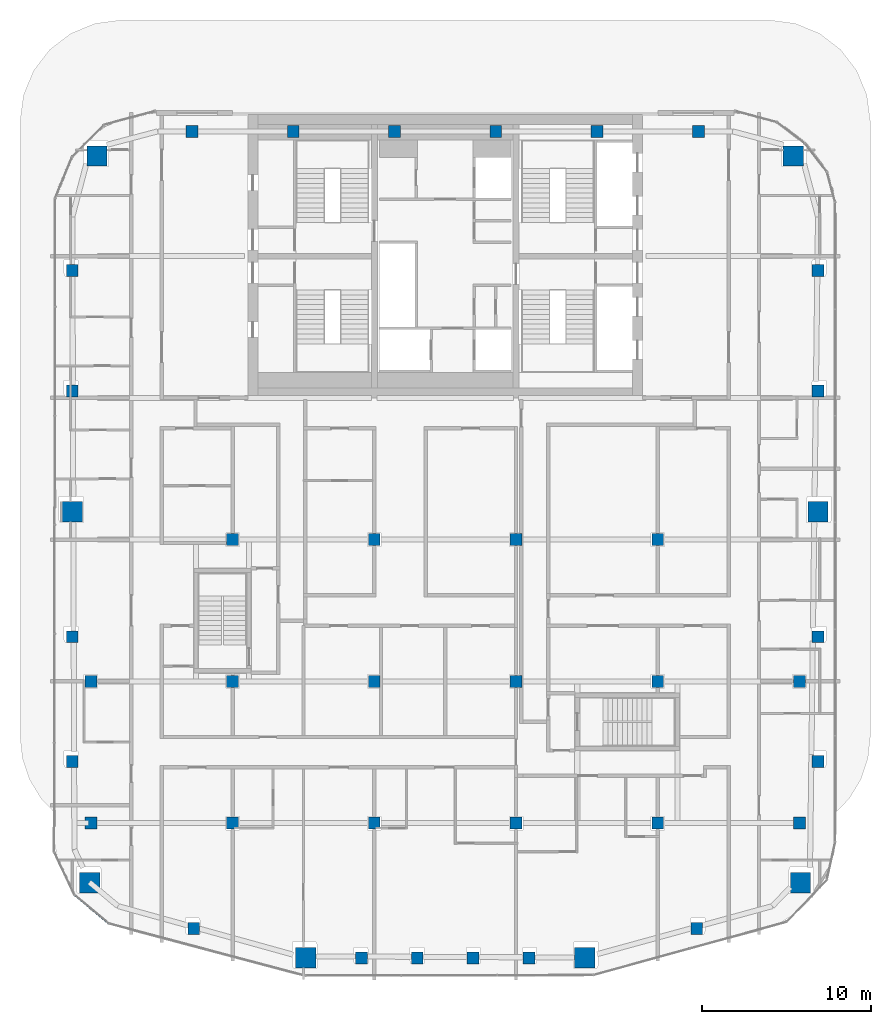
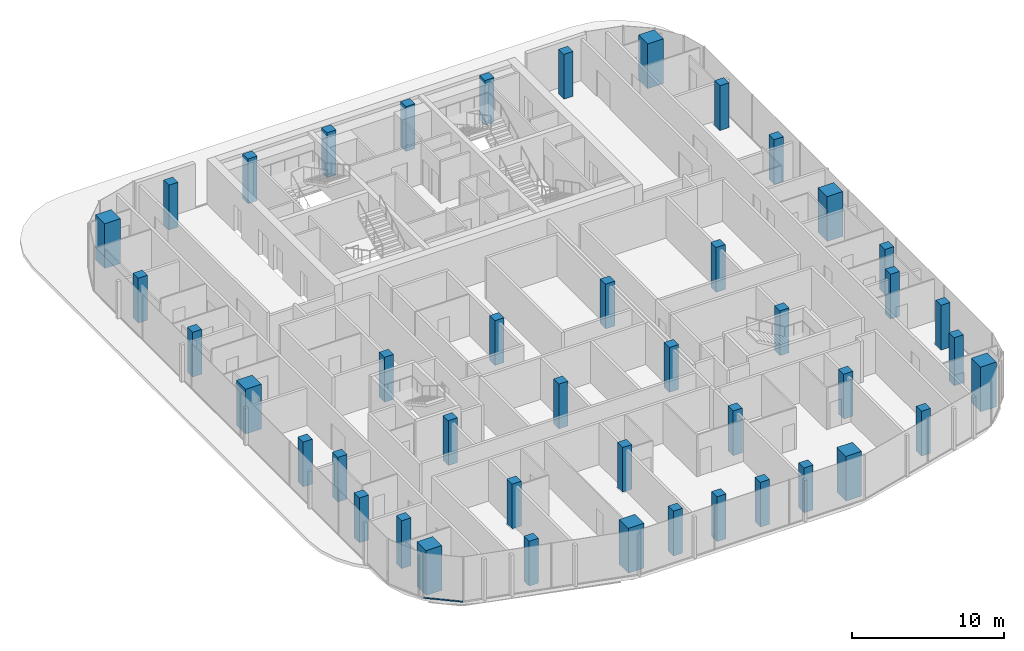
# One storey, part 1 of 21: 44 columns, 1 member, 1 element without a shape of its own.
"""IFC4 building model written with IfcOpenShell, lengths in metres."""

from ifc_helpers import new_model, si_unit, direction, frame, origin, origin_2d, place, context, subcontext, project, spatial, rectangle, extrude, material, layer, layer_set, material_profile, profile_set, type_object, element, aggregate, save


model = new_model("IFC4")

# Units and contexts
model_context = context("Model", 3, precision=1e-05, world=origin(), true_north=direction((0.0, 1.0)))
body_context = subcontext(model_context, "Body", "Model", "MODEL_VIEW")
ifc_project = project(units=[si_unit("LENGTHUNIT", "METRE"), si_unit("AREAUNIT", "SQUARE_METRE"), si_unit("VOLUMEUNIT", "CUBIC_METRE"), si_unit("PLANEANGLEUNIT", "RADIAN"), si_unit("MASSUNIT", "GRAM", prefix="KILO")], contexts=[model_context])

# Site, building, storey
site_placement = place(None, origin())
site = spatial("IfcSite", under=ifc_project, at=site_placement, CompositionType="ELEMENT")
building_placement = place(site_placement, origin())
building = spatial("IfcBuilding", under=site, at=building_placement, Name="Marenta Gate Hotel Tower", CompositionType="ELEMENT")
storey_placement = place(building_placement, frame((0.0, 0.0, 266.89990234375)))
storey = spatial("IfcBuildingStorey", under=building, at=storey_placement, Name="L61", CompositionType="ELEMENT", Elevation=266.89990234375)

# Columns
ifc_material_1 = material(Name="Concrete C50", Category="concrete")
ifc_material_profile_1 = material_profile(ifc_material_1, rectangle(XDim=0.699951171875, YDim=0.699951171875, at=origin_2d()), Name="700 x 700")
ifc_profile_set_1 = profile_set([ifc_material_profile_1], Name="Concrete C50")
column_type_1 = type_object("IfcColumnType", Name="Edge column 700 x 700 C50", PredefinedType="COLUMN", material=ifc_profile_set_1)
for number, where, z_axis, x_axis, name in (
    (1, (-22.10009765625, -21.552001953125, 0.0), (0.0, 0.0, 1.0), (1.0, 0.0, 0.0), "L61-EC-SW-W-1"),
    (2, (-22.10009765625, -14.15087890625, 0.0), (0.0, 0.0, 1.0), (1.0, 0.0, 0.0), "L61-EC-SW-W-2"),
    (3, (-22.10009765625, 0.4033203125, 0.0), (0.0, 0.0, 1.0), (1.0, 0.0, 0.0), "L61-EC-W-NW-1"),
    (4, (-22.10009765625, 7.556396484375, 0.0), (0.0, 0.0, 1.0), (1.0, 0.0, 0.0), "L61-EC-W-NW-2"),
    (5, (-15.0068359375, 15.800048828125, 0.0), (0.0, 0.0, 1.0), (1.0, 0.0, 0.0), "L61-EC-NW-NE-1"),
    (6, (-9.004150390625, 15.800048828125, 0.0), (0.0, 0.0, 1.0), (1.0, 0.0, 0.0), "L61-EC-NW-NE-2"),
    (7, (-3.00146484375, 15.800048828125, 0.0), (0.0, 0.0, 1.0), (1.0, 0.0, 0.0), "L61-EC-NW-NE-3"),
    (8, (3.00146484375, 15.800048828125, 0.0), (0.0, 0.0, 1.0), (1.0, 0.0, 0.0), "L61-EC-NW-NE-4"),
    (9, (9.004150390625, 15.800048828125, 0.0), (0.0, 0.0, 1.0), (1.0, 0.0, 0.0), "L61-EC-NW-NE-5"),
    (10, (15.0068359375, 15.800048828125, 0.0), (0.0, 0.0, 1.0), (1.0, 0.0, 0.0), "L61-EC-NW-NE-6"),
    (11, (22.10009765625, 7.556396484375, 0.0), (0.0, 0.0, 1.0), (1.0, 0.0, 0.0), "L61-EC-NE-E-1"),
    (12, (22.10009765625, 0.4033203125, 0.0), (0.0, 0.0, 1.0), (1.0, 0.0, 0.0), "L61-EC-NE-E-2"),
    (13, (22.10009765625, -14.15087890625, 0.0), (0.0, 0.0, 1.0), (1.0, 0.0, 0.0), "L61-EC-E-SE-1"),
    (14, (22.10009765625, -21.552001953125, 0.0), (0.0, 0.0, 1.0), (1.0, 0.0, 0.0), "L61-EC-E-SE-2"),
    (15, (14.90673828125, -31.439208984375, 0.0), (0.0, 0.0, 1.0), (1.0, 0.0, 0.0), "L61-EC-SE-SKE-1"),
    (16, (4.960205078125, -33.199951171875, 0.0), (0.0, 0.0, 1.0), (1.0, 0.0, 0.0), "L61-EC-SKE-SKW-1"),
    (17, (1.6533203125, -33.199951171875, 0.0), (0.0, 0.0, 1.0), (1.0, 0.0, 0.0), "L61-EC-SKE-SKW-2"),
    (18, (-1.6533203125, -33.199951171875, 0.0), (0.0, 0.0, 1.0), (1.0, 0.0, 0.0), "L61-EC-SKE-SKW-3"),
    (19, (-4.960205078125, -33.199951171875, 0.0), (0.0, 0.0, 1.0), (1.0, 0.0, 0.0), "L61-EC-SKE-SKW-4"),
    (20, (-14.90673828125, -31.439208984375, 0.0), (0.0, 0.0, 1.0), (1.0, 0.0, 0.0), "L61-EC-SKW-SW-1"),
):
    element("IfcColumn", number, at=place(storey_placement, frame(where, z_axis=z_axis, x_axis=x_axis)), inside=storey, type_object=column_type_1, Name=name, PredefinedType="COLUMN", context=body_context, shape_type="SweptSolid", body=[
        extrude(rectangle(XDim=0.699951171875, YDim=0.699951171875, at=origin_2d()), origin(), (0.0, 0.0, 1.0), 3.60009765625),
    ])
ifc_material_2 = material(Name="Concrete C50", Category="concrete")
ifc_material_profile_2 = material_profile(ifc_material_2, rectangle(XDim=0.699951171875, YDim=0.699951171875, at=origin_2d()), Name="700 x 700")
ifc_profile_set_2 = profile_set([ifc_material_profile_2], Name="Concrete C50")
column_type_2 = type_object("IfcColumnType", Name="Interior column 700 x 700 C50", PredefinedType="COLUMN", material=ifc_profile_set_2)
column_1_placement = place(storey_placement, frame((-21.0, -25.199951171875, -0.260009765625), z_axis=(0.0, 0.0, 1.0), x_axis=(1.0, 0.0, 0.0)))
element("IfcColumn", 21, at=column_1_placement, inside=storey, type_object=column_type_2, Name="L61-IC-4C", PredefinedType="COLUMN", context=body_context, shape_type="SweptSolid", body=[
    extrude(rectangle(XDim=0.699951171875, YDim=0.699951171875, at=origin_2d()), origin(), (0.0, 0.0, 1.0), 3.860107421875),
])
for number, where, z_axis, x_axis, name in (
    (22, (-21.0, -16.800048828125, 0.0), (0.0, 0.0, 1.0), (1.0, 0.0, 0.0), "L61-IC-4D"),
    (23, (-12.60009765625, -25.199951171875, 0.0), (0.0, 0.0, 1.0), (1.0, 0.0, 0.0), "L61-IC-5C"),
    (24, (-12.60009765625, -16.800048828125, 0.0), (0.0, 0.0, 1.0), (1.0, 0.0, 0.0), "L61-IC-5D"),
    (25, (-12.60009765625, -8.39990234375, 0.0), (0.0, 0.0, 1.0), (1.0, 0.0, 0.0), "L61-IC-5E"),
    (26, (-4.199951171875, -25.199951171875, 0.0), (0.0, 0.0, 1.0), (1.0, 0.0, 0.0), "L61-IC-6C"),
    (27, (-4.199951171875, -16.800048828125, 0.0), (0.0, 0.0, 1.0), (1.0, 0.0, 0.0), "L61-IC-6D"),
    (28, (-4.199951171875, -8.39990234375, 0.0), (0.0, 0.0, 1.0), (1.0, 0.0, 0.0), "L61-IC-6E"),
    (29, (4.199951171875, -25.199951171875, 0.0), (0.0, 0.0, 1.0), (1.0, 0.0, 0.0), "L61-IC-7C"),
    (30, (4.199951171875, -16.800048828125, 0.0), (0.0, 0.0, 1.0), (1.0, 0.0, 0.0), "L61-IC-7D"),
    (31, (4.199951171875, -8.39990234375, 0.0), (0.0, 0.0, 1.0), (1.0, 0.0, 0.0), "L61-IC-7E"),
    (32, (12.60009765625, -25.199951171875, 0.0), (0.0, 0.0, 1.0), (1.0, 0.0, 0.0), "L61-IC-8C"),
    (33, (12.60009765625, -16.800048828125, 0.0), (0.0, 0.0, 1.0), (1.0, 0.0, 0.0), "L61-IC-8D"),
    (34, (12.60009765625, -8.39990234375, 0.0), (0.0, 0.0, 1.0), (1.0, 0.0, 0.0), "L61-IC-8E"),
):
    element("IfcColumn", number, at=place(storey_placement, frame(where, z_axis=z_axis, x_axis=x_axis)), inside=storey, type_object=column_type_2, Name=name, PredefinedType="COLUMN", context=body_context, shape_type="SweptSolid", body=[
        extrude(rectangle(XDim=0.699951171875, YDim=0.699951171875, at=origin_2d()), origin(), (0.0, 0.0, 1.0), 3.60009765625),
    ])
column_2_placement = place(storey_placement, frame((21.0, -25.199951171875, -0.260009765625), z_axis=(0.0, 0.0, 1.0), x_axis=(1.0, 0.0, 0.0)))
element("IfcColumn", 35, at=column_2_placement, inside=storey, type_object=column_type_2, Name="L61-IC-9C", PredefinedType="COLUMN", context=body_context, shape_type="SweptSolid", body=[
    extrude(rectangle(XDim=0.699951171875, YDim=0.699951171875, at=origin_2d()), origin(), (0.0, 0.0, 1.0), 3.860107421875),
])
column_3_placement = place(storey_placement, frame((21.0, -16.800048828125, 0.0), z_axis=(0.0, 0.0, 1.0), x_axis=(1.0, 0.0, 0.0)))
element("IfcColumn", 36, at=column_3_placement, inside=storey, type_object=column_type_2, Name="L61-IC-9D", PredefinedType="COLUMN", context=body_context, shape_type="SweptSolid", body=[
    extrude(rectangle(XDim=0.699951171875, YDim=0.699951171875, at=origin_2d()), origin(), (0.0, 0.0, 1.0), 3.60009765625),
])
ifc_material_3 = material(Name="Concrete C50", Category="concrete")
ifc_material_profile_3 = material_profile(ifc_material_3, rectangle(XDim=1.199951171875, YDim=1.199951171875, at=origin_2d()), Name="1200 x 1200")
ifc_profile_set_3 = profile_set([ifc_material_profile_3], Name="Concrete C50")
column_type_3 = type_object("IfcColumnType", Name="Mega column 1200 x 1200 C50", PredefinedType="COLUMN", material=ifc_profile_set_3)
for number, where, z_axis, x_axis, name in (
    (37, (-21.06298828125, -28.73291015625, 0.0), (0.0, 0.0, 1.0), (1.0, 0.0, 0.0), "L61-MC-SW"),
    (38, (-8.266357421875, -33.1748046875, 0.0), (0.0, 0.0, 1.0), (1.0, 0.0, 0.0), "L61-MC-SKW"),
    (39, (8.266357421875, -33.1748046875, 0.0), (0.0, 0.0, 1.0), (1.0, 0.0, 0.0), "L61-MC-SKE"),
    (40, (21.06298828125, -28.73291015625, 0.0), (0.0, 0.0, 1.0), (1.0, 0.0, 0.0), "L61-MC-SE"),
    (41, (22.10009765625, -6.75, 0.0), (0.0, 0.0, 1.0), (1.0, 0.0, 0.0), "L61-MC-E"),
    (42, (20.635498046875, 14.33544921875, 0.0), (0.0, 0.0, 1.0), (1.0, 0.0, 0.0), "L61-MC-NE"),
    (43, (-20.635498046875, 14.33544921875, 0.0), (0.0, 0.0, 1.0), (1.0, 0.0, 0.0), "L61-MC-NW"),
    (44, (-22.10009765625, -6.75, 0.0), (0.0, 0.0, 1.0), (1.0, 0.0, 0.0), "L61-MC-W"),
):
    element("IfcColumn", number, at=place(storey_placement, frame(where, z_axis=z_axis, x_axis=x_axis)), inside=storey, type_object=column_type_3, Name=name, PredefinedType="COLUMN", context=body_context, shape_type="SweptSolid", body=[
        extrude(rectangle(XDim=1.199951171875, YDim=1.199951171875, at=origin_2d()), origin(), (0.0, 0.0, 1.0), 3.60009765625),
    ])

# Curtain wall, member
ifc_material_4 = material(Name="Tinted insulated glass in bronze anodised frame", Category="glass")
ifc_layer = layer(ifc_material_4, 0.1201171875)
ifc_layer_set = layer_set([ifc_layer], Name="Tinted insulated glass in bronze anodised frame")
curtain_wall_type = type_object("IfcCurtainWallType", Name="Tower unitised curtain wall CW1", PredefinedType="NOTDEFINED", material=ifc_layer_set)
curtain_wall_placement = place(storey_placement, origin())
curtain_wall = element("IfcCurtainWall", 45, at=curtain_wall_placement, inside=storey, type_object=curtain_wall_type, Name="CW1 run G05", PredefinedType="NOTDEFINED")
ifc_material_5 = material(Name="Bronze anodised aluminium", Category="aluminium")
ifc_material_profile_4 = material_profile(ifc_material_5, rectangle(XDim=0.1201171875, YDim=0.06005859375, at=origin_2d()), Name="Transom CW1 60x120 bronze anodised aluminium")
ifc_profile_set_4 = profile_set([ifc_material_profile_4], Name="Bronze anodised aluminium")
member_type = type_object("IfcMemberType", Name="Transom CW1 60x120 bronze anodised aluminium", PredefinedType="USERDEFINED", material=ifc_profile_set_4)
member_placement = place(storey_placement, frame((-21.936767578125, -29.479248046875, 0.030029296875), z_axis=(0.767100312603, -0.641527170433, 0.0), x_axis=(0.641527170433, 0.767100312603, 0.0)))
member = element("IfcMember", 46, at=member_placement, type_object=member_type, Name="CW1 transom 1.1", ObjectType="TRANSOM", PredefinedType="USERDEFINED", context=body_context, shape_type="SweptSolid", body=[
    extrude(rectangle(XDim=0.1201171875, YDim=0.06005859375, at=origin_2d()), origin(), (0.0, 0.0, 1.0), 2.609130859375),
])
aggregate(curtain_wall, [member])

save(model, "model.ifc")
